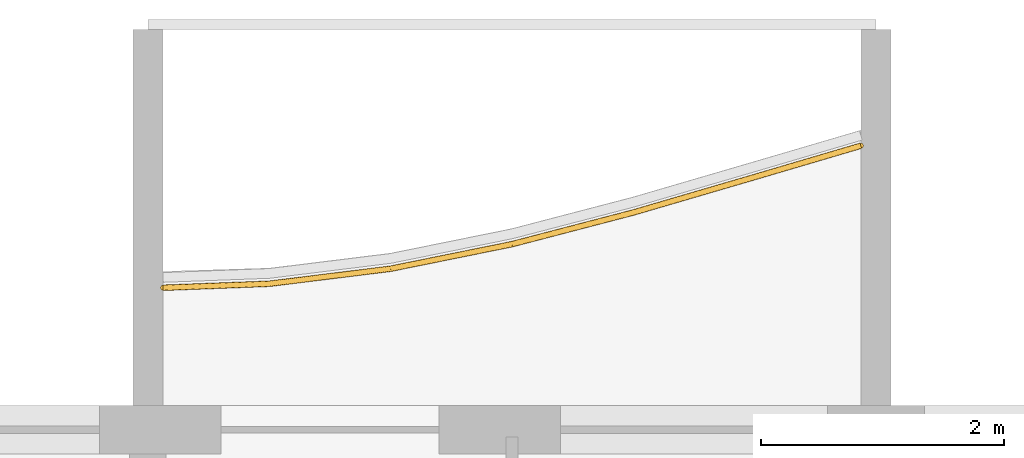
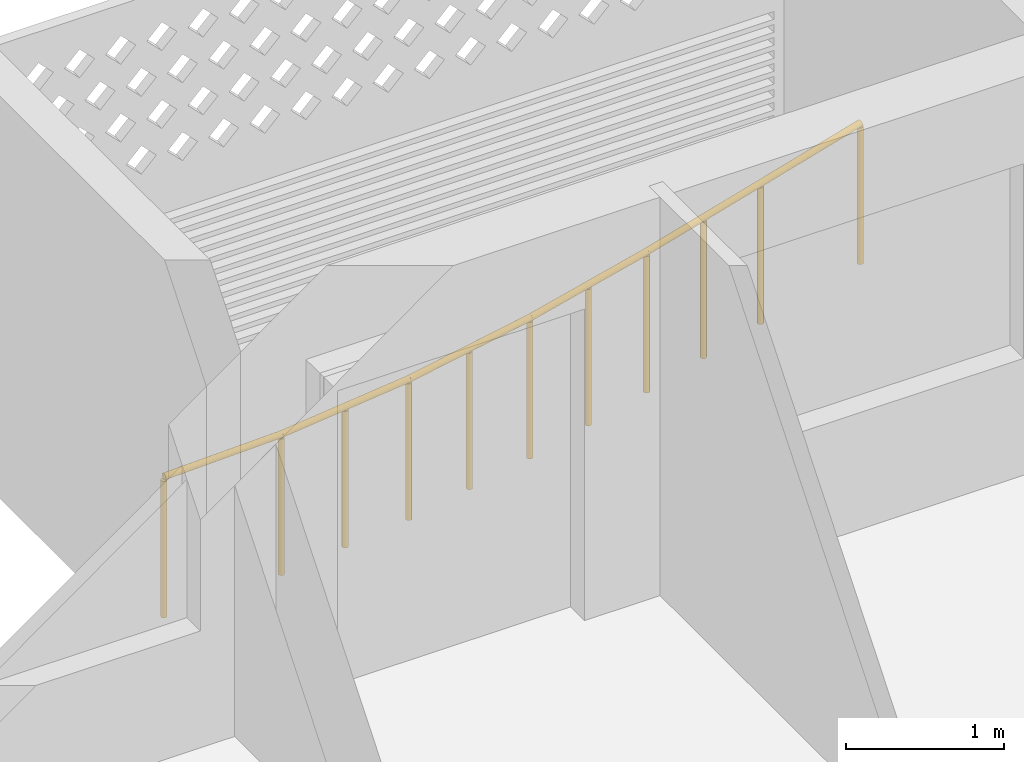
# One storey, part 26 of 33: 1 railing.
"""IFC4 building model written with IfcOpenShell, lengths in metres."""

from ifc_helpers import new_model, si_unit, direction, frame, origin, origin_2d, place, context, subcontext, project, spatial, circle, extrude, material, type_object, element, save


model = new_model("IFC4")

# Units and contexts
model_context = context("Model", 3, precision=1e-05, world=origin(), true_north=direction((0.0, 1.0)))
body_context = subcontext(model_context, "Body", "Model", "MODEL_VIEW")
ifc_project = project(units=[si_unit("LENGTHUNIT", "METRE"), si_unit("AREAUNIT", "SQUARE_METRE"), si_unit("VOLUMEUNIT", "CUBIC_METRE"), si_unit("PLANEANGLEUNIT", "RADIAN"), si_unit("MASSUNIT", "GRAM", prefix="KILO")], contexts=[model_context])

# Site, building, storey
site_placement = place(None, origin())
site = spatial("IfcSite", under=ifc_project, at=site_placement, CompositionType="ELEMENT")
building_placement = place(site_placement, origin())
building = spatial("IfcBuilding", under=site, at=building_placement, Name="Poui Terraces", CompositionType="ELEMENT")
storey_placement = place(building_placement, frame((0.0, 0.0, 138.89990234375)))
storey = spatial("IfcBuildingStorey", under=building, at=storey_placement, Name="L38", CompositionType="ELEMENT", Elevation=138.89990234375)

# Railing
ifc_material = material(Name="Painted steel fretwork", Category="steel")
railing_type = type_object("IfcRailingType", Name="BALCONY GUARD 1100", PredefinedType="GUARDRAIL", material=ifc_material)
railing_placement = place(storey_placement, frame((54.125, 43.570068359375, 0.0)))
element("IfcRailing", 1, at=railing_placement, inside=storey, type_object=railing_type, Name="BALCONY GUARD", PredefinedType="GUARDRAIL", context=body_context, shape_type="SweptSolid", body=[
    extrude(circle(Radius=0.02392578125, at=origin_2d()), frame((0.0, 0.0, 1.076171875), z_axis=(0.999291337102, 0.037640717218, 0.0), x_axis=(-0.037640717218, 0.999291337102, 0.0)), (0.0, 0.0, 1.0), 0.875732421875),
    extrude(circle(Radius=0.02392578125, at=origin_2d()), frame((0.875, 0.032958984375, 1.076171875), z_axis=(0.992426262271, 0.122841824944, 0.0), x_axis=(-0.122841824944, 0.992426262271, 0.0)), (0.0, 0.0, 1.0), 1.007568359375),
    extrude(circle(Radius=0.02392578125, at=origin_2d()), frame((1.875, 0.15673828125, 1.076171875), z_axis=(0.980080566497, 0.198600310106, 0.0), x_axis=(-0.198600310106, 0.980080566497, 0.0)), (0.0, 0.0, 1.0), 1.020263671875),
    extrude(circle(Radius=0.02392578125, at=origin_2d()), frame((2.875, 0.359375, 1.076171875), z_axis=(0.967647370695, 0.252306492164, 0.0), x_axis=(-0.252306492164, 0.967647370695, 0.0)), (0.0, 0.0, 1.0), 1.033447265625),
    extrude(circle(Radius=0.02392578125, at=origin_2d()), frame((3.875, 0.6201171875, 1.076171875), z_axis=(0.959789776105, 0.280719763617, 0.0), x_axis=(-0.280719763617, 0.959789776105, 0.0)), (0.0, 0.0, 1.0), 1.0419921875),
    extrude(circle(Radius=0.02392578125, at=origin_2d()), frame((4.875, 0.91259765625, 1.076171875), z_axis=(0.959229011415, 0.282629976578, 0.0), x_axis=(-0.282629976578, 0.959229011415, 0.0)), (0.0, 0.0, 1.0), 0.912109375),
    extrude(circle(Radius=0.02099609375, at=origin_2d()), origin(), (0.0, 0.0, 1.0), 1.052001953125),
    extrude(circle(Radius=0.02099609375, at=origin_2d()), frame((0.875, 0.032958984375, 0.0)), (0.0, 0.0, 1.0), 1.052001953125),
    extrude(circle(Radius=0.02099609375, at=origin_2d()), frame((1.375, 0.0947265625, 0.0)), (0.0, 0.0, 1.0), 1.052001953125),
    extrude(circle(Radius=0.02099609375, at=origin_2d()), frame((1.875, 0.15673828125, 0.0)), (0.0, 0.0, 1.0), 1.052001953125),
    extrude(circle(Radius=0.02099609375, at=origin_2d()), frame((2.375, 0.258056640625, 0.0)), (0.0, 0.0, 1.0), 1.052001953125),
    extrude(circle(Radius=0.02099609375, at=origin_2d()), frame((2.875, 0.359375, 0.0)), (0.0, 0.0, 1.0), 1.052001953125),
    extrude(circle(Radius=0.02099609375, at=origin_2d()), frame((3.375, 0.48974609375, 0.0)), (0.0, 0.0, 1.0), 1.052001953125),
    extrude(circle(Radius=0.02099609375, at=origin_2d()), frame((3.875, 0.6201171875, 0.0)), (0.0, 0.0, 1.0), 1.052001953125),
    extrude(circle(Radius=0.02099609375, at=origin_2d()), frame((4.375, 0.766357421875, 0.0)), (0.0, 0.0, 1.0), 1.052001953125),
    extrude(circle(Radius=0.02099609375, at=origin_2d()), frame((4.875, 0.91259765625, 0.0)), (0.0, 0.0, 1.0), 1.052001953125),
    extrude(circle(Radius=0.02099609375, at=origin_2d()), frame((5.75, 1.17041015625, 0.0)), (0.0, 0.0, 1.0), 1.052001953125),
])

save(model, "model.ifc")
